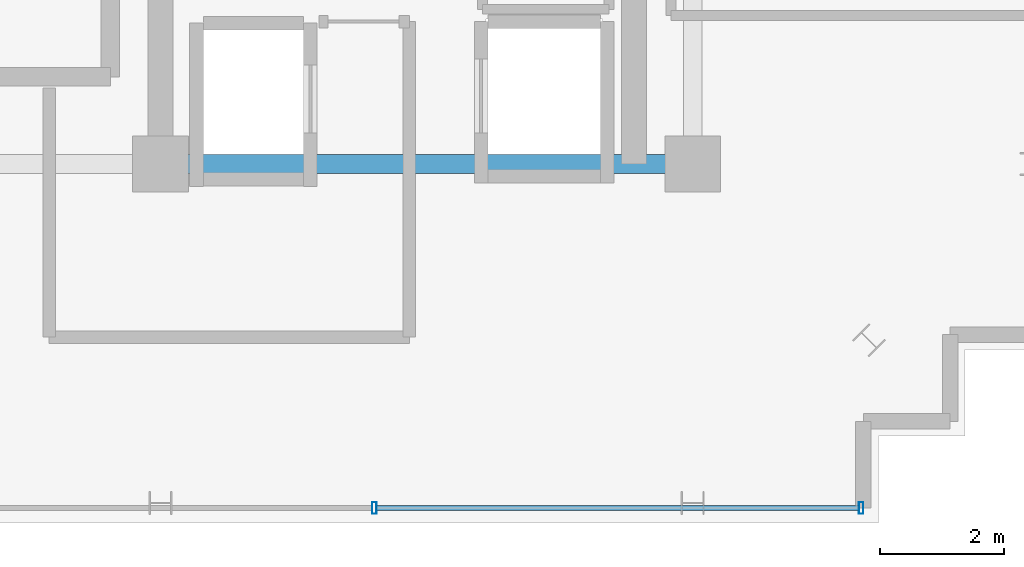
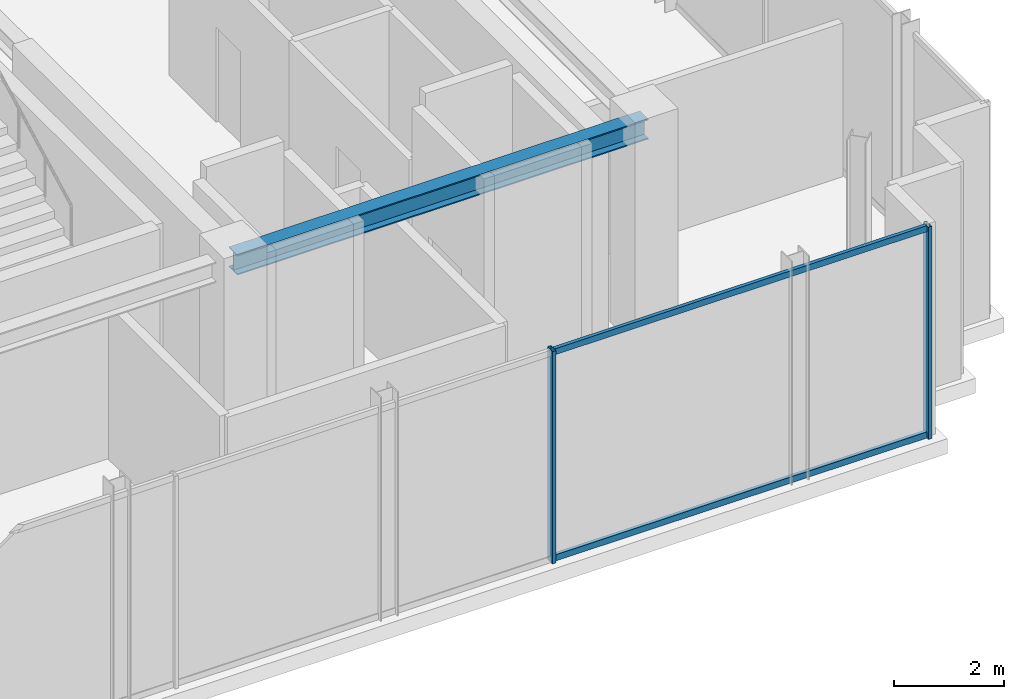
# One storey, part 11 of 28: 4 members, 1 beam, 1 element without a shape of its own.
"""IFC4 building model written with IfcOpenShell, lengths in metres."""

from ifc_helpers import new_model, si_unit, direction, frame, origin, origin_2d, place, context, subcontext, project, spatial, hollow_rectangle, i_section, extrude, source, transform, mapped, material, material_profile, profile_set, type_object, element, aggregate, save


model = new_model("IFC4")

# Units and contexts
model_context = context("Model", 3, precision=1e-05, world=origin(), true_north=direction((0.0, 1.0)))
body_context = subcontext(model_context, "Body", "Model", "MODEL_VIEW")
ifc_project = project(units=[si_unit("LENGTHUNIT", "METRE"), si_unit("AREAUNIT", "SQUARE_METRE"), si_unit("VOLUMEUNIT", "CUBIC_METRE"), si_unit("PLANEANGLEUNIT", "RADIAN"), si_unit("MASSUNIT", "GRAM", prefix="KILO")], contexts=[model_context])

# Site, building, storey
site_placement = place(None, origin())
site = spatial("IfcSite", under=ifc_project, at=site_placement, CompositionType="ELEMENT")
building_placement = place(site_placement, origin())
building = spatial("IfcBuilding", under=site, at=building_placement, Name="Nahalor Promenade Grand Hotel", CompositionType="ELEMENT")
storey_placement = place(building_placement, frame((0.0, 0.0, 352.050048828125)))
storey = spatial("IfcBuildingStorey", under=building, at=storey_placement, Name="L90", CompositionType="ELEMENT", Elevation=352.050048828125)

# Beam
ifc_material_1 = material(Name="Steel S355JR", Category="steel")
ifc_material_profile_1 = material_profile(ifc_material_1, i_section(OverallWidth=0.3, OverallDepth=0.45, WebThickness=0.014, FlangeThickness=0.026, at=origin_2d()), Name="HEB 450")
ifc_profile_set_1 = profile_set([ifc_material_profile_1], Name="Steel S355JR")
beam_type = type_object("IfcBeamType", Name="Beam-Girder-HEB450", PredefinedType="BEAM", material=ifc_profile_set_1)
shared_shape_1 = source(origin(), body_context, "Body", "SweptSolid", [
    extrude(i_section(OverallWidth=0.3, OverallDepth=0.45, WebThickness=0.014, FlangeThickness=0.026, at=origin_2d()), origin(), (0.0, 0.0, 1.0), 8.60009765625),
])
beam_placement = place(storey_placement, frame((8.39990234375, -17.0, 4.474853515625), z_axis=(1.0, 0.0, 0.0), x_axis=(0.0, 1.0, 0.0)))
element("IfcBeam", 1, at=beam_placement, inside=storey, type_object=beam_type, Name="BM-L90-GX-0-4", PredefinedType="BEAM", context=body_context, shape_type="MappedRepresentation", body=[
    mapped(shared_shape_1, transform((0.0, 0.0, 0.0), scale=1.0)),
])

# Curtain wall, members
ifc_material_2 = material(Name="Anodised Bronze Aluminium EN AW-6063 T6", Category="aluminium")
curtain_wall_type = type_object("IfcCurtainWallType", Name="CW6 Crown Botanical Conservatory Curtain Wall", PredefinedType="USERDEFINED", material=ifc_material_2)
curtain_wall_placement = place(storey_placement, origin())
curtain_wall = element("IfcCurtainWall", 2, at=curtain_wall_placement, inside=storey, type_object=curtain_wall_type, Name="L90 Curtain Wall CW-L90-S-1", ObjectType="UNITISED_CURTAIN_WALL", PredefinedType="USERDEFINED")
ifc_material_profile_2 = material_profile(ifc_material_2, hollow_rectangle(XDim=0.075, YDim=0.19, WallThickness=0.005, at=origin_2d()), Name="CWM 75x190x5")
ifc_profile_set_2 = profile_set([ifc_material_profile_2], Name="Anodised Bronze Aluminium EN AW-6063 T6")
member_type_1 = type_object("IfcMemberType", Name="CWM6 Conservatory Bronze Mullion 75x190", PredefinedType="MULLION", material=ifc_profile_set_2)
shared_shape_2 = source(origin(), body_context, "Body", "SweptSolid", [
    extrude(hollow_rectangle(XDim=0.075, YDim=0.19, WallThickness=0.005, at=origin_2d()), origin(), (0.0, 0.0, 1.0), 4.699951171875),
])
member_1_placement = place(storey_placement, frame((11.85595703125, -22.56005859375, 0.0), z_axis=(0.0, 0.0, 1.0), x_axis=(1.0, 0.0, 0.0)))
member_1 = element("IfcMember", 3, at=member_1_placement, type_object=member_type_1, Name="CW-L90-S-1 Mullion 4", PredefinedType="MULLION", context=body_context, shape_type="MappedRepresentation", body=[
    mapped(shared_shape_2, transform((0.0, 0.0, 0.0), scale=1.0)),
])
member_2_placement = place(storey_placement, frame((19.722412109375, -22.56005859375, 0.0), z_axis=(0.0, 0.0, 1.0), x_axis=(1.0, 0.0, 0.0)))
member_2 = element("IfcMember", 4, at=member_2_placement, type_object=member_type_1, Name="CW-L90-S-1 Mullion 5", PredefinedType="MULLION", context=body_context, shape_type="MappedRepresentation", body=[
    mapped(shared_shape_2, transform((0.0, 0.0, 0.0), scale=1.0)),
])
ifc_material_profile_3 = material_profile(ifc_material_2, hollow_rectangle(XDim=0.075, YDim=0.135, WallThickness=0.004, at=origin_2d()), Name="CWT 75x135x4")
ifc_profile_set_3 = profile_set([ifc_material_profile_3], Name="Anodised Bronze Aluminium EN AW-6063 T6")
member_type_2 = type_object("IfcMemberType", Name="CWT6 Conservatory Transom 75x135", PredefinedType="USERDEFINED", material=ifc_profile_set_3)
shared_shape_3 = source(origin(), body_context, "Body", "SweptSolid", [
    extrude(hollow_rectangle(XDim=0.075, YDim=0.135, WallThickness=0.004, at=origin_2d()), origin(), (0.0, 0.0, 1.0), 7.79150390625),
])
member_3_placement = place(storey_placement, frame((11.8935546875, -22.56005859375, 0.0673828125), z_axis=(1.0, 0.0, 0.0), x_axis=(0.0, 1.0, 0.0)))
member_3 = element("IfcMember", 5, at=member_3_placement, type_object=member_type_2, Name="CW-L90-S-1 Transom 4-0", ObjectType="TRANSOM", PredefinedType="USERDEFINED", context=body_context, shape_type="MappedRepresentation", body=[
    mapped(shared_shape_3, transform((0.0, 0.0, 0.0), scale=1.0)),
])
member_4_placement = place(storey_placement, frame((11.8935546875, -22.56005859375, 4.632568359375), z_axis=(1.0, 0.0, 0.0), x_axis=(0.0, 1.0, 0.0)))
member_4 = element("IfcMember", 6, at=member_4_placement, type_object=member_type_2, Name="CW-L90-S-1 Transom 4-1", ObjectType="TRANSOM", PredefinedType="USERDEFINED", context=body_context, shape_type="MappedRepresentation", body=[
    mapped(shared_shape_3, transform((0.0, 0.0, 0.0), scale=1.0)),
])
aggregate(curtain_wall, [member_1, member_2, member_3, member_4])

save(model, "model.ifc")
